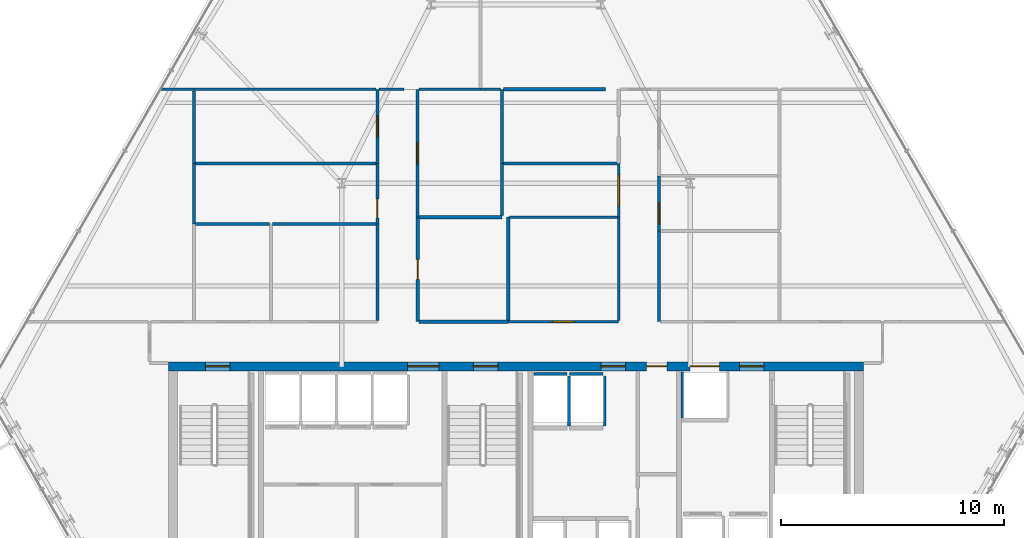
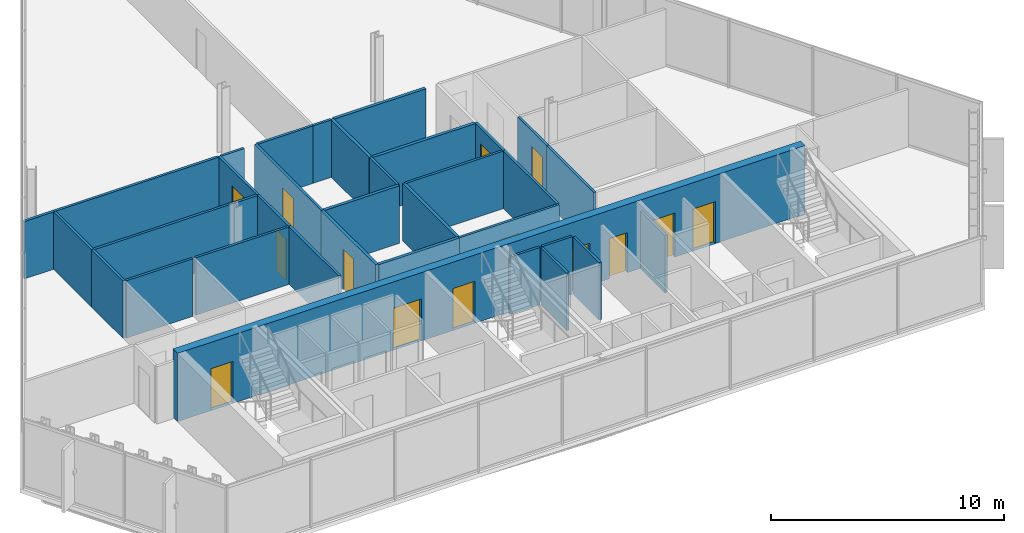
# One storey, part 29 of 35: 34 walls, 14 doors, 14 openings.
"""IFC4 building model written with IfcOpenShell, lengths in metres."""

import ifcopenshell
import ifcopenshell.guid

model = None  # the IFC model being written
_history = None  # IfcOwnerHistory: only IFC2X3 demands one
_inside = {}  # id of a spatial element -> (the spatial element, [elements in it])
_under = {}  # id of a project, library or spatial element -> (it, [spatial elements below it])
_declared = {}  # id of a project -> (the project, [libraries it declares])
_typed = {}  # id of a type object -> (the type object, [elements of that type])
_made_of = {}  # id of a material, layer set ... -> (it, [elements and type objects made of it])


def new_model(schema):
    """Start an empty IFC model of exactly this schema.

    Asked for "IFC4X3", IfcOpenShell would pick the latest addendum, in which some entities
    have other attributes; the version numbers below select the first issue.
    IFC2X3 requires an IfcOwnerHistory on every rooted entity: one is made here for all.
    """
    global model, _history
    if schema == "IFC4X3":
        model = ifcopenshell.file(schema_version=(4, 3, 0, 0))
    else:
        model = ifcopenshell.file(schema=schema)
    _inside.clear()
    _under.clear()
    _declared.clear()
    _typed.clear()
    _made_of.clear()
    _history = None
    if model.schema == "IFC2X3":
        org = make("IfcOrganization", Name="unknown")
        user = make(
            "IfcPersonAndOrganization",
            ThePerson=make("IfcPerson", FamilyName="unknown"),
            TheOrganization=org,
        )
        app = make(
            "IfcApplication",
            ApplicationDeveloper=org,
            Version="unknown",
            ApplicationFullName="unknown",
            ApplicationIdentifier="unknown",
        )
        _history = make(
            "IfcOwnerHistory",
            OwningUser=user,
            OwningApplication=app,
            ChangeAction="ADDED",
            CreationDate=0,
        )
    return model


def make(cls, **values):
    """One entity of the class cls with the attributes given. An attribute that is None is left unset."""
    return model.create_entity(
        cls, **{name: value for name, value in values.items() if value is not None}
    )


def rooted(cls, **values):
    """An entity with a GlobalId (a new one), such as an element, a storey or a relation."""
    return make(cls, GlobalId=ifcopenshell.guid.new(), OwnerHistory=_history, **values)


def si_unit(unit_type, name, prefix=None):
    """IfcSIUnit, for example si_unit("LENGTHUNIT", "METRE", prefix="MILLI")."""
    return make("IfcSIUnit", UnitType=unit_type, Prefix=prefix, Name=name)


def assignment(units):
    """IfcUnitAssignment: the units of a project."""
    return None if units is None else make("IfcUnitAssignment", Units=units)


def point(xyz):
    """IfcCartesianPoint."""
    return None if xyz is None else make("IfcCartesianPoint", Coordinates=xyz)


def direction(xyz):
    """IfcDirection."""
    return None if xyz is None else make("IfcDirection", DirectionRatios=xyz)


def frame(location, z_axis=None, x_axis=None):
    """IfcAxis2Placement3D, a coordinate frame: its origin and axes. An axis left out is left unset."""
    return make(
        "IfcAxis2Placement3D",
        Location=point(location),
        Axis=direction(z_axis),
        RefDirection=direction(x_axis),
    )


def frame_2d(location, x_axis=None):
    """IfcAxis2Placement2D, a coordinate frame in the plane: its origin and x axis."""
    return make(
        "IfcAxis2Placement2D", Location=point(location), RefDirection=direction(x_axis)
    )


def origin():
    """The frame at (0, 0, 0) with its axes left unset."""
    return frame((0.0, 0.0, 0.0))


def place(relative_to, where):
    """IfcLocalPlacement: puts the frame where relative to a parent placement (None: the world)."""
    return make(
        "IfcLocalPlacement", PlacementRelTo=relative_to, RelativePlacement=where
    )


def context(
    kind, dimensions, precision=None, world=None, true_north=None, identifier=None
):
    """IfcGeometricRepresentationContext, for example the 3D "Model" context."""
    return make(
        "IfcGeometricRepresentationContext",
        ContextIdentifier=identifier,
        ContextType=kind,
        CoordinateSpaceDimension=dimensions,
        Precision=precision,
        WorldCoordinateSystem=world,
        TrueNorth=true_north,
    )


def subcontext(parent, identifier, kind, view, scale=None):
    """IfcGeometricRepresentationSubContext, for example "Body" below "Model"."""
    return make(
        "IfcGeometricRepresentationSubContext",
        ContextIdentifier=identifier,
        ContextType=kind,
        ParentContext=parent,
        TargetScale=scale,
        TargetView=view,
    )


def project(units=None, contexts=None):
    """IfcProject with its units and contexts."""
    return rooted(
        "IfcProject",
        Name="project",
        RepresentationContexts=contexts,
        UnitsInContext=assignment(units),
    )


def spatial(cls, under=None, at=None, **own):
    """A site, building, storey or space (cls), placed at a placement, below another one or the project."""
    s = rooted(cls, ObjectPlacement=at, **own)
    if under is not None:
        _under.setdefault(under.id(), (under, []))[1].append(s)
    return s


def profile(cls, at=None, kind="AREA", **sizes):
    """A parametric profile (cls). Its sizes go by their IFC names, for example OverallWidth=200.0."""
    return make(cls, ProfileType=kind, Position=at, **sizes)


def rectangle(**sizes):
    """IfcRectangleProfileDef."""
    return profile("IfcRectangleProfileDef", **sizes)


def extrude(swept, where, along, depth):
    """IfcExtrudedAreaSolid: the profile swept, set in the frame where, extruded along a direction by depth."""
    return make(
        "IfcExtrudedAreaSolid",
        SweptArea=swept,
        Position=where,
        ExtrudedDirection=direction(along),
        Depth=depth,
    )


def shape(context_of_items, identifier, shape_type, items):
    """IfcShapeRepresentation: the items that make up one representation, for example the "Body"."""
    return make(
        "IfcShapeRepresentation",
        ContextOfItems=context_of_items,
        RepresentationIdentifier=identifier,
        RepresentationType=shape_type,
        Items=items,
    )


def material(Name=None, Category=None):
    """IfcMaterial."""
    return make("IfcMaterial", Name=Name, Category=Category)


def layer(
    of_material, thickness, ventilated=None, Name=None, Category=None, Priority=None
):
    """IfcMaterialLayer: one layer of a wall or slab, of a material (None: an air gap)."""
    return make(
        "IfcMaterialLayer",
        Material=of_material,
        LayerThickness=thickness,
        IsVentilated=ventilated,
        Name=Name,
        Category=Category,
        Priority=Priority,
    )


def layer_set(layers, Name=None):
    """IfcMaterialLayerSet."""
    return make("IfcMaterialLayerSet", MaterialLayers=layers, LayerSetName=Name)


def made_of(thing, what):
    """Note that an element or type object is made of a material, layer set ...; save() writes the relation."""
    if what is not None:
        _made_of.setdefault(what.id(), (what, []))[1].append(thing)
    return thing


def type_object(cls, material=None, **own):
    """A type object (cls), such as IfcWallType, which elements share."""
    return made_of(rooted(cls, **own), material)


def element(
    cls,
    number,
    at=None,
    inside=None,
    cuts=None,
    type_object=None,
    material=None,
    context=None,
    identifier="Body",
    shape_type=None,
    held_by="IfcProductDefinitionShape",
    body=None,
    shapes=None,
    **own,
):
    """One element of the class cls, such as IfcWall. Its Tag is "e" and its number.

    at: its placement. inside: the storey or other place that contains it. cuts: it is an
    opening in that element (IfcRelVoidsElement). A single representation is given by context,
    identifier, shape_type and body (its items); several are given by shapes. held_by: the class
    of the entity that holds the representations. save() writes the other relations.
    """
    e = rooted(cls, Tag="e%d" % number, ObjectPlacement=at, **own)
    if body is not None:
        shapes = [shape(context, identifier, shape_type, body)]
    if shapes is not None:
        e.Representation = make(held_by, Representations=shapes)
    if inside is not None:
        _inside.setdefault(inside.id(), (inside, []))[1].append(e)
    if cuts is not None:
        rooted(
            "IfcRelVoidsElement", RelatingBuildingElement=cuts, RelatedOpeningElement=e
        )
    if type_object is not None:
        _typed.setdefault(type_object.id(), (type_object, []))[1].append(e)
    return made_of(e, material)


def fill(opening, filler):
    """IfcRelFillsElement: the door or window that sits in an opening."""
    return rooted(
        "IfcRelFillsElement",
        RelatingOpeningElement=opening,
        RelatedBuildingElement=filler,
    )


def aggregate(whole, parts):
    """IfcRelAggregates: a whole, such as a stair, and the parts it consists of."""
    return rooted("IfcRelAggregates", RelatingObject=whole, RelatedObjects=parts)


def save(model, path):
    """Write the relations noted so far, then the file.

    IfcRelAggregates (storeys below a building ...), IfcRelContainedInSpatialStructure (elements
    in a storey), IfcRelDefinesByType, IfcRelAssociatesMaterial and IfcRelDeclares: one each for
    every whole, place, type object, material and project.
    """
    for whole, parts in _under.values():
        aggregate(whole, parts)
    for where, things in _inside.values():
        rooted(
            "IfcRelContainedInSpatialStructure",
            RelatedElements=things,
            RelatingStructure=where,
        )
    for kind, things in _typed.values():
        rooted("IfcRelDefinesByType", RelatedObjects=things, RelatingType=kind)
    for what, things in _made_of.values():
        rooted("IfcRelAssociatesMaterial", RelatedObjects=things, RelatingMaterial=what)
    for by, libraries in _declared.values():
        rooted("IfcRelDeclares", RelatingContext=by, RelatedDefinitions=libraries)
    model.write(path)


model = new_model("IFC4")

# Units and contexts
model_context = context("Model", 3, precision=1e-05, world=origin(), true_north=direction((0.0, 1.0)))
body_context = subcontext(model_context, "Body", "Model", "MODEL_VIEW")
ifc_project = project(units=[si_unit("LENGTHUNIT", "METRE"), si_unit("AREAUNIT", "SQUARE_METRE"), si_unit("VOLUMEUNIT", "CUBIC_METRE"), si_unit("PLANEANGLEUNIT", "RADIAN"), si_unit("MASSUNIT", "GRAM", prefix="KILO")], contexts=[model_context])

# Site, building, storey
site_placement = place(None, origin())
site = spatial("IfcSite", under=ifc_project, at=site_placement, CompositionType="ELEMENT")
building_placement = place(site_placement, origin())
building = spatial("IfcBuilding", under=site, at=building_placement, Name="Ndaravel Arena Tower", CompositionType="ELEMENT")
storey_placement = place(building_placement, frame((0.0, 0.0, 176.39990234375)))
storey = spatial("IfcBuildingStorey", under=building, at=storey_placement, Name="L42", CompositionType="ELEMENT", Elevation=176.39990234375)

# Wall, openings, doors
ifc_material_1 = material(Name="Concrete C50/60", Category="concrete")
ifc_layer_1 = layer(ifc_material_1, 0.39990234375)
ifc_layer_set_1 = layer_set([ifc_layer_1], Name="Concrete C50/60")
wall_type_1 = type_object("IfcWallType", Name="WALL-CORE-400", PredefinedType="SOLIDWALL", material=ifc_layer_set_1)
wall_1_placement = place(storey_placement, frame((26.449951171875, 15.0, 0.0), z_axis=(0.0, 0.0, 1.0), x_axis=(1.0, 0.0, 0.0)))
wall_1 = element("IfcWall", 1, at=wall_1_placement, inside=storey, type_object=wall_type_1, Name="L42 Core North Shear Wall", PredefinedType="SOLIDWALL", context=body_context, shape_type="SweptSolid", body=[
    extrude(rectangle(XDim=31.10009765625, YDim=0.39990234375, at=frame_2d((15.550048828125, 0.0))), origin(), (0.0, 0.0, 1.0), 3.580078125),
])
opening_1_placement = place(wall_1_placement, frame((1.64990234375, 0.0, 0.0)))
opening_1 = element("IfcOpeningElement", 2, at=opening_1_placement, cuts=wall_1, Name="Opening FD-01", PredefinedType="OPENING", context=body_context, shape_type="SweptSolid", body=[
    extrude(rectangle(XDim=1.10009765625, YDim=2.199951171875, at=frame_2d((0.550048828125, 1.10009765625))), frame((0.0, 0.199951171875, 0.0), z_axis=(0.0, -1.0, 0.0), x_axis=(1.0, 0.0, 0.0)), (0.0, 0.0, 1.0), 0.39990234375),
])
opening_2_placement = place(wall_1_placement, frame((13.64990234375, 0.0, 0.0)))
opening_2 = element("IfcOpeningElement", 3, at=opening_2_placement, cuts=wall_1, Name="Opening FD-01", PredefinedType="OPENING", context=body_context, shape_type="SweptSolid", body=[
    extrude(rectangle(XDim=1.10009765625, YDim=2.199951171875, at=frame_2d((0.550048828125, 1.10009765625))), frame((0.0, 0.199951171875, 0.0), z_axis=(0.0, -1.0, 0.0), x_axis=(1.0, 0.0, 0.0)), (0.0, 0.0, 1.0), 0.39990234375),
])
opening_3_placement = place(wall_1_placement, frame((25.550048828125, 0.0, 0.0)))
opening_3 = element("IfcOpeningElement", 4, at=opening_3_placement, cuts=wall_1, Name="Opening FD-01", PredefinedType="OPENING", context=body_context, shape_type="SweptSolid", body=[
    extrude(rectangle(XDim=1.10009765625, YDim=2.199951171875, at=frame_2d((0.550048828125, 1.10009765625))), frame((0.0, 0.199951171875, 0.0), z_axis=(0.0, -1.0, 0.0), x_axis=(1.0, 0.0, 0.0)), (0.0, 0.0, 1.0), 0.39990234375),
])
opening_4_placement = place(wall_1_placement, frame((10.699951171875, 0.0, 0.0)))
opening_4 = element("IfcOpeningElement", 5, at=opening_4_placement, cuts=wall_1, Name="Opening ID-02", PredefinedType="OPENING", context=body_context, shape_type="SweptSolid", body=[
    extrude(rectangle(XDim=1.39990234375, YDim=2.199951171875, at=frame_2d((0.699951171875, 1.10009765625))), frame((0.0, 0.199951171875, 0.0), z_axis=(0.0, -1.0, 0.0), x_axis=(1.0, 0.0, 0.0)), (0.0, 0.0, 1.0), 0.39990234375),
])
opening_5_placement = place(wall_1_placement, frame((19.35009765625, 0.0, 0.0)))
opening_5 = element("IfcOpeningElement", 6, at=opening_5_placement, cuts=wall_1, Name="Opening FD-01", PredefinedType="OPENING", context=body_context, shape_type="SweptSolid", body=[
    extrude(rectangle(XDim=1.10009765625, YDim=2.199951171875, at=frame_2d((0.550048828125, 1.10009765625))), frame((0.0, 0.199951171875, 0.0), z_axis=(0.0, -1.0, 0.0), x_axis=(1.0, 0.0, 0.0)), (0.0, 0.0, 1.0), 0.39990234375),
])
opening_6_placement = place(wall_1_placement, frame((21.39990234375, 0.0, 0.0)))
opening_6 = element("IfcOpeningElement", 7, at=opening_6_placement, cuts=wall_1, Name="Opening RD-01", PredefinedType="OPENING", context=body_context, shape_type="SweptSolid", body=[
    extrude(rectangle(XDim=0.89990234375, YDim=2.10009765625, at=frame_2d((0.449951171875, 1.050048828125))), frame((0.0, 0.199951171875, 0.0), z_axis=(0.0, -1.0, 0.0), x_axis=(1.0, 0.0, 0.0)), (0.0, 0.0, 1.0), 0.39990234375),
])
opening_7_placement = place(wall_1_placement, frame((23.35009765625, 0.0, 0.0)))
opening_7 = element("IfcOpeningElement", 8, at=opening_7_placement, cuts=wall_1, Name="Opening LD-02", PredefinedType="OPENING", context=body_context, shape_type="SweptSolid", body=[
    extrude(rectangle(XDim=1.300048828125, YDim=2.300048828125, at=frame_2d((0.64990234375, 1.14990234375))), frame((0.0, 0.199951171875, 0.0), z_axis=(0.0, -1.0, 0.0), x_axis=(1.0, 0.0, 0.0)), (0.0, 0.0, 1.0), 0.39990234375),
])
ifc_material_2 = material(Name="Steel S355", Category="steel")
door_type_1 = type_object("IfcDoorType", Name="DT-01-STAIR-1100", OperationType="SINGLE_SWING_LEFT", PredefinedType="DOOR", material=ifc_material_2)
door_1_placement = place(opening_1_placement, origin())
door_1 = element("IfcDoor", 9, at=door_1_placement, inside=storey, type_object=door_type_1, Name="L42 Exit Stair ST-1 Door", OperationType="SINGLE_SWING_LEFT", OverallHeight=2.199951171875, OverallWidth=1.10009765625, PredefinedType="DOOR", context=body_context, shape_type="SweptSolid", body=[
    extrude(rectangle(XDim=1.10009765625, YDim=2.199951171875, at=frame_2d((0.550048828125, 1.10009765625))), frame((0.0, 0.02490234375, 0.0), z_axis=(0.0, -1.0, 0.0), x_axis=(1.0, 0.0, 0.0)), (0.0, 0.0, 1.0), 0.050048828125),
])
fill(opening_1, door_1)
door_2_placement = place(opening_2_placement, origin())
door_2 = element("IfcDoor", 10, at=door_2_placement, inside=storey, type_object=door_type_1, Name="L42 Exit Stair ST-2 Door", OperationType="SINGLE_SWING_RIGHT", OverallHeight=2.199951171875, OverallWidth=1.10009765625, PredefinedType="DOOR", context=body_context, shape_type="SweptSolid", body=[
    extrude(rectangle(XDim=1.10009765625, YDim=2.199951171875, at=frame_2d((0.550048828125, 1.10009765625))), frame((0.0, 0.02490234375, 0.0), z_axis=(0.0, -1.0, 0.0), x_axis=(1.0, 0.0, 0.0)), (0.0, 0.0, 1.0), 0.050048828125),
])
fill(opening_2, door_2)
door_3_placement = place(opening_3_placement, origin())
door_3 = element("IfcDoor", 11, at=door_3_placement, inside=storey, type_object=door_type_1, Name="L42 Firefighting Lift Lobby Door", OperationType="SINGLE_SWING_RIGHT", OverallHeight=2.199951171875, OverallWidth=1.10009765625, PredefinedType="DOOR", context=body_context, shape_type="SweptSolid", body=[
    extrude(rectangle(XDim=1.10009765625, YDim=2.199951171875, at=frame_2d((0.550048828125, 1.10009765625))), frame((0.0, 0.02490234375, 0.0), z_axis=(0.0, -1.0, 0.0), x_axis=(1.0, 0.0, 0.0)), (0.0, 0.0, 1.0), 0.050048828125),
])
fill(opening_3, door_3)
door_4_placement = place(opening_5_placement, origin())
door_4 = element("IfcDoor", 12, at=door_4_placement, inside=storey, type_object=door_type_1, Name="L42 Express Lift Lobby Entry Door", OperationType="SINGLE_SWING_LEFT", OverallHeight=2.199951171875, OverallWidth=1.10009765625, PredefinedType="DOOR", context=body_context, shape_type="SweptSolid", body=[
    extrude(rectangle(XDim=1.10009765625, YDim=2.199951171875, at=frame_2d((0.550048828125, 1.10009765625))), frame((0.0, 0.02490234375, 0.0), z_axis=(0.0, -1.0, 0.0), x_axis=(1.0, 0.0, 0.0)), (0.0, 0.0, 1.0), 0.050048828125),
])
fill(opening_5, door_4)
ifc_material_3 = material(Name="Timber", Category="wood")
door_type_2 = type_object("IfcDoorType", Name="DT-04-SUITE-1400", OperationType="DOUBLE_DOOR_SINGLE_SWING", PredefinedType="DOOR", material=ifc_material_3)
door_5_placement = place(opening_4_placement, origin())
door_5 = element("IfcDoor", 13, at=door_5_placement, inside=storey, type_object=door_type_2, Name="L42 West Lift Lobby Entry Door", OperationType="DOUBLE_DOOR_SINGLE_SWING", OverallHeight=2.199951171875, OverallWidth=1.39990234375, PredefinedType="DOOR", context=body_context, shape_type="SweptSolid", body=[
    extrude(rectangle(XDim=1.39990234375, YDim=2.199951171875, at=frame_2d((0.699951171875, 1.10009765625))), frame((0.0, 0.02490234375, 0.0), z_axis=(0.0, -1.0, 0.0), x_axis=(1.0, 0.0, 0.0)), (0.0, 0.0, 1.0), 0.050048828125),
])
fill(opening_4, door_5)
ifc_material_4 = material(Name="Steel S355", Category="steel")
door_type_3 = type_object("IfcDoorType", Name="DT-07-SVLIFT-1300", OperationType="DOUBLE_DOOR_SLIDING", PredefinedType="DOOR", material=ifc_material_4)
door_6_placement = place(opening_7_placement, origin())
door_6 = element("IfcDoor", 14, at=door_6_placement, inside=storey, type_object=door_type_3, Name="L42 Lift SVL-1 Sliding Landing Door", OperationType="DOUBLE_DOOR_SLIDING", OverallHeight=2.300048828125, OverallWidth=1.300048828125, PredefinedType="DOOR", context=body_context, shape_type="SweptSolid", body=[
    extrude(rectangle(XDim=1.300048828125, YDim=2.300048828125, at=frame_2d((0.64990234375, 1.14990234375))), frame((0.0, 0.02490234375, 0.0), z_axis=(0.0, -1.0, 0.0), x_axis=(1.0, 0.0, 0.0)), (0.0, 0.0, 1.0), 0.050048828125),
])
fill(opening_7, door_6)
ifc_material_5 = material(Name="Steel S355", Category="steel")
door_type_4 = type_object("IfcDoorType", Name="DT-08-RISER-900", OperationType="SINGLE_SWING_LEFT", PredefinedType="DOOR", material=ifc_material_5)
door_7_placement = place(opening_6_placement, origin())
door_7 = element("IfcDoor", 15, at=door_7_placement, inside=storey, type_object=door_type_4, Name="L42 Core Service Riser North Door", OperationType="SINGLE_SWING_LEFT", OverallHeight=2.10009765625, OverallWidth=0.89990234375, PredefinedType="DOOR", context=body_context, shape_type="SweptSolid", body=[
    extrude(rectangle(XDim=0.89990234375, YDim=2.10009765625, at=frame_2d((0.449951171875, 1.050048828125))), frame((0.0, 0.02490234375, 0.0), z_axis=(0.0, -1.0, 0.0), x_axis=(1.0, 0.0, 0.0)), (0.0, 0.0, 1.0), 0.050048828125),
])
fill(opening_6, door_7)

# Wall
ifc_material_6 = material(Name="Gypsum", Category="gypsum")
ifc_layer_2 = layer(ifc_material_6, 0.125)
ifc_layer_set_2 = layer_set([ifc_layer_2], Name="Gypsum")
wall_type_2 = type_object("IfcWallType", Name="WALL-PART-125", PredefinedType="PARTITIONING", material=ifc_layer_set_2)
wall_2_placement = place(storey_placement, frame((35.800048828125, 17.06494140625, 0.0), z_axis=(0.0, 0.0, 1.0), x_axis=(0.0, 1.0, 0.0)))
element("IfcWall", 16, at=wall_2_placement, inside=storey, type_object=wall_type_2, Name="L42 Interior Partition 008", PredefinedType="PARTITIONING", context=body_context, shape_type="SweptSolid", body=[
    extrude(rectangle(XDim=4.302978515625, YDim=0.125, at=frame_2d((2.1513671875, 0.0))), origin(), (0.0, 0.0, 1.0), 3.010498046875),
])

# Wall, opening, door
wall_3_placement = place(storey_placement, frame((35.800048828125, 24.08251953125, 0.0), z_axis=(0.0, 0.0, 1.0), x_axis=(0.0, 1.0, 0.0)))
wall_3 = element("IfcWall", 17, at=wall_3_placement, inside=storey, type_object=wall_type_2, Name="L42 Interior Partition 010", PredefinedType="PARTITIONING", context=body_context, shape_type="SweptSolid", body=[
    extrude(rectangle(XDim=3.3173828125, YDim=0.125, at=frame_2d((1.65869140625, 0.0))), origin(), (0.0, 0.0, 1.0), 3.010498046875),
])
opening_8_placement = place(wall_3_placement, frame((1.183837890625, 0.0, 0.0)))
opening_8 = element("IfcOpeningElement", 18, at=opening_8_placement, cuts=wall_3, Name="Opening ID-01", PredefinedType="OPENING", context=body_context, shape_type="SweptSolid", body=[
    extrude(rectangle(XDim=0.949951171875, YDim=2.199951171875, at=frame_2d((0.47509765625, 1.10009765625))), frame((0.0, 0.0625, 0.0), z_axis=(0.0, -1.0, 0.0), x_axis=(1.0, 0.0, 0.0)), (0.0, 0.0, 1.0), 0.125),
])
ifc_material_7 = material(Name="Timber", Category="wood")
door_type_5 = type_object("IfcDoorType", Name="DT-03-OFFICE-950", OperationType="SINGLE_SWING_LEFT", PredefinedType="DOOR", material=ifc_material_7)
door_8_placement = place(opening_8_placement, origin())
door_8 = element("IfcDoor", 19, at=door_8_placement, inside=storey, type_object=door_type_5, Name="L42 Refreshment Kiosk 6 Door", OperationType="SINGLE_SWING_LEFT", OverallHeight=2.199951171875, OverallWidth=0.949951171875, PredefinedType="DOOR", context=body_context, shape_type="SweptSolid", body=[
    extrude(rectangle(XDim=0.949951171875, YDim=2.199951171875, at=frame_2d((0.47509765625, 1.10009765625))), frame((0.0, 0.02490234375, 0.0), z_axis=(0.0, -1.0, 0.0), x_axis=(1.0, 0.0, 0.0)), (0.0, 0.0, 1.0), 0.050048828125),
])
fill(opening_8, door_8)

# Wall
wall_4_placement = place(storey_placement, frame((35.864990234375, 27.39990234375, 0.0), z_axis=(0.0, 0.0, 1.0), x_axis=(1.0, 0.0, 0.0)))
element("IfcWall", 20, at=wall_4_placement, inside=storey, type_object=wall_type_2, Name="L42 Interior Partition 011", PredefinedType="PARTITIONING", context=body_context, shape_type="SweptSolid", body=[
    extrude(rectangle(XDim=1.135009765625, YDim=0.125, at=frame_2d((0.5673828125, 0.0))), origin(), (0.0, 0.0, 1.0), 3.010498046875),
])

# Wall, opening, door
wall_5_placement = place(storey_placement, frame((37.60009765625, 27.39990234375, 0.0), z_axis=(0.0, 0.0, 1.0), x_axis=(0.0, -1.0, 0.0)))
wall_5 = element("IfcWall", 21, at=wall_5_placement, inside=storey, type_object=wall_type_2, Name="L42 Interior Partition 012", PredefinedType="PARTITIONING", context=body_context, shape_type="SweptSolid", body=[
    extrude(rectangle(XDim=5.719970703125, YDim=0.125, at=frame_2d((2.85986328125, 0.0))), origin(), (0.0, 0.0, 1.0), 3.010498046875),
])
opening_9_placement = place(wall_5_placement, frame((2.385009765625, 0.0, 0.0)))
opening_9 = element("IfcOpeningElement", 22, at=opening_9_placement, cuts=wall_5, Name="Opening ID-01", PredefinedType="OPENING", context=body_context, shape_type="SweptSolid", body=[
    extrude(rectangle(XDim=0.949951171875, YDim=2.199951171875, at=frame_2d((0.47509765625, 1.10009765625))), frame((0.0, 0.0625, 0.0), z_axis=(0.0, -1.0, 0.0), x_axis=(1.0, 0.0, 0.0)), (0.0, 0.0, 1.0), 0.125),
])
door_9_placement = place(opening_9_placement, origin())
door_9 = element("IfcDoor", 23, at=door_9_placement, inside=storey, type_object=door_type_5, Name="L42 Design Bookshop Boutique 5 Door", OperationType="SINGLE_SWING_LEFT", OverallHeight=2.199951171875, OverallWidth=0.949951171875, PredefinedType="DOOR", context=body_context, shape_type="SweptSolid", body=[
    extrude(rectangle(XDim=0.949951171875, YDim=2.199951171875, at=frame_2d((0.47509765625, 1.10009765625))), frame((0.0, 0.02490234375, 0.0), z_axis=(0.0, -1.0, 0.0), x_axis=(1.0, 0.0, 0.0)), (0.0, 0.0, 1.0), 0.050048828125),
])
fill(opening_9, door_9)

wall_6_placement = place(storey_placement, frame((41.64990234375, 17.0, 0.0), z_axis=(0.0, 0.0, 1.0), x_axis=(1.0, 0.0, 0.0)))
wall_6 = element("IfcWall", 24, at=wall_6_placement, inside=storey, type_object=wall_type_2, Name="L42 Interior Partition 015", PredefinedType="PARTITIONING", context=body_context, shape_type="SweptSolid", body=[
    extrude(rectangle(XDim=4.9501953125, YDim=0.125, at=frame_2d((2.47509765625, 0.0))), origin(), (0.0, 0.0, 1.0), 3.010498046875),
])
opening_10_placement = place(wall_6_placement, frame((2.0, 0.0, 0.0)))
opening_10 = element("IfcOpeningElement", 25, at=opening_10_placement, cuts=wall_6, Name="Opening ID-01", PredefinedType="OPENING", context=body_context, shape_type="SweptSolid", body=[
    extrude(rectangle(XDim=0.949951171875, YDim=2.199951171875, at=frame_2d((0.47509765625, 1.10009765625))), frame((0.0, 0.0625, 0.0), z_axis=(0.0, -1.0, 0.0), x_axis=(1.0, 0.0, 0.0)), (0.0, 0.0, 1.0), 0.125),
])
door_10_placement = place(opening_10_placement, origin())
door_10 = element("IfcDoor", 26, at=door_10_placement, inside=storey, type_object=door_type_5, Name="L42 Project Seminar Room 3 Door", OperationType="SINGLE_SWING_LEFT", OverallHeight=2.199951171875, OverallWidth=0.949951171875, PredefinedType="DOOR", context=body_context, shape_type="SweptSolid", body=[
    extrude(rectangle(XDim=0.949951171875, YDim=2.199951171875, at=frame_2d((0.47509765625, 1.10009765625))), frame((0.0, 0.02490234375, 0.0), z_axis=(0.0, -1.0, 0.0), x_axis=(1.0, 0.0, 0.0)), (0.0, 0.0, 1.0), 0.050048828125),
])
fill(opening_10, door_10)

# Wall
wall_7_placement = place(storey_placement, frame((46.60009765625, 17.06494140625, 0.0), z_axis=(0.0, 0.0, 1.0), x_axis=(0.0, 1.0, 0.0)))
element("IfcWall", 27, at=wall_7_placement, inside=storey, type_object=wall_type_2, Name="L42 Interior Partition 016", PredefinedType="PARTITIONING", context=body_context, shape_type="SweptSolid", body=[
    extrude(rectangle(XDim=4.614990234375, YDim=0.125, at=frame_2d((2.3076171875, 0.0))), origin(), (0.0, 0.0, 1.0), 3.010498046875),
])

# Wall, opening, door
wall_8_placement = place(storey_placement, frame((46.60009765625, 21.679931640625, 0.0), z_axis=(0.0, 0.0, 1.0), x_axis=(0.0, 1.0, 0.0)))
wall_8 = element("IfcWall", 28, at=wall_8_placement, inside=storey, type_object=wall_type_2, Name="L42 Interior Partition 017", PredefinedType="PARTITIONING", context=body_context, shape_type="SweptSolid", body=[
    extrude(rectangle(XDim=2.402587890625, YDim=0.125, at=frame_2d((1.201171875, 0.0))), origin(), (0.0, 0.0, 1.0), 3.010498046875),
])
opening_11_placement = place(wall_8_placement, frame((0.501220703125, 0.0, 0.0)))
opening_11 = element("IfcOpeningElement", 29, at=opening_11_placement, cuts=wall_8, Name="Opening ID-02", PredefinedType="OPENING", context=body_context, shape_type="SweptSolid", body=[
    extrude(rectangle(XDim=1.39990234375, YDim=2.199951171875, at=frame_2d((0.699951171875, 1.10009765625))), frame((0.0, 0.0625, 0.0), z_axis=(0.0, -1.0, 0.0), x_axis=(1.0, 0.0, 0.0)), (0.0, 0.0, 1.0), 0.125),
])
door_11_placement = place(opening_11_placement, origin())
door_11 = element("IfcDoor", 30, at=door_11_placement, inside=storey, type_object=door_type_2, Name="L42 Executive Boardroom 5 Door", OperationType="SINGLE_SWING_RIGHT", OverallHeight=2.199951171875, OverallWidth=1.39990234375, PredefinedType="DOOR", context=body_context, shape_type="SweptSolid", body=[
    extrude(rectangle(XDim=1.39990234375, YDim=2.199951171875, at=frame_2d((0.699951171875, 1.10009765625))), frame((0.0, 0.02490234375, 0.0), z_axis=(0.0, -1.0, 0.0), x_axis=(1.0, 0.0, 0.0)), (0.0, 0.0, 1.0), 0.050048828125),
])
fill(opening_11, door_11)

wall_9_placement = place(storey_placement, frame((48.39990234375, 23.5302734375, 0.0), z_axis=(0.0, 0.0, 1.0), x_axis=(0.0, -1.0, 0.0)))
wall_9 = element("IfcWall", 31, at=wall_9_placement, inside=storey, type_object=wall_type_2, Name="L42 Interior Partition 021", PredefinedType="PARTITIONING", context=body_context, shape_type="SweptSolid", body=[
    extrude(rectangle(XDim=2.474365234375, YDim=0.125, at=frame_2d((1.2373046875, 0.0))), origin(), (0.0, 0.0, 1.0), 3.010498046875),
])
opening_12_placement = place(wall_9_placement, frame((1.212158203125, 0.0, 0.0)))
opening_12 = element("IfcOpeningElement", 32, at=opening_12_placement, cuts=wall_9, Name="Opening ID-01", PredefinedType="OPENING", context=body_context, shape_type="SweptSolid", body=[
    extrude(rectangle(XDim=0.949951171875, YDim=2.199951171875, at=frame_2d((0.47509765625, 1.10009765625))), frame((0.0, 0.0625, 0.0), z_axis=(0.0, -1.0, 0.0), x_axis=(1.0, 0.0, 0.0)), (0.0, 0.0, 1.0), 0.125),
])
door_12_placement = place(opening_12_placement, origin())
door_12 = element("IfcDoor", 33, at=door_12_placement, inside=storey, type_object=door_type_5, Name="L42 Training Classroom 4 Door", OperationType="SINGLE_SWING_RIGHT", OverallHeight=2.199951171875, OverallWidth=0.949951171875, PredefinedType="DOOR", context=body_context, shape_type="SweptSolid", body=[
    extrude(rectangle(XDim=0.949951171875, YDim=2.199951171875, at=frame_2d((0.47509765625, 1.10009765625))), frame((0.0, 0.02490234375, 0.0), z_axis=(0.0, -1.0, 0.0), x_axis=(1.0, 0.0, 0.0)), (0.0, 0.0, 1.0), 0.050048828125),
])
fill(opening_12, door_12)

# Walls
wall_10_placement = place(storey_placement, frame((48.39990234375, 21.055908203125, 0.0), z_axis=(0.0, 0.0, 1.0), x_axis=(0.0, -1.0, 0.0)))
element("IfcWall", 34, at=wall_10_placement, inside=storey, type_object=wall_type_2, Name="L42 Interior Partition 022", PredefinedType="PARTITIONING", context=body_context, shape_type="SweptSolid", body=[
    extrude(rectangle(XDim=4.055908203125, YDim=0.125, at=frame_2d((2.02783203125, 0.0))), origin(), (0.0, 0.0, 1.0), 3.010498046875),
])
wall_11_placement = place(storey_placement, frame((27.6650390625, 21.367919921875, 0.0), z_axis=(0.0, 0.0, 1.0), x_axis=(1.0, 0.0, 0.0)))
element("IfcWall", 35, at=wall_11_placement, inside=storey, type_object=wall_type_2, Name="L42 Interior Partition 032", PredefinedType="PARTITIONING", context=body_context, shape_type="SweptSolid", body=[
    extrude(rectangle(XDim=3.31396484375, YDim=0.125, at=frame_2d((1.656982421875, 0.0))), origin(), (0.0, 0.0, 1.0), 3.010498046875),
])
wall_12_placement = place(storey_placement, frame((31.10888671875, 21.367919921875, 0.0), z_axis=(0.0, 0.0, 1.0), x_axis=(1.0, 0.0, 0.0)))
element("IfcWall", 36, at=wall_12_placement, inside=storey, type_object=wall_type_2, Name="L42 Interior Partition 033", PredefinedType="PARTITIONING", context=body_context, shape_type="SweptSolid", body=[
    extrude(rectangle(XDim=4.626220703125, YDim=0.125, at=frame_2d((2.31298828125, 0.0))), origin(), (0.0, 0.0, 1.0), 3.010498046875),
])
wall_13_placement = place(storey_placement, frame((41.715087890625, 21.679931640625, 0.0), z_axis=(0.0, 0.0, 1.0), x_axis=(1.0, 0.0, 0.0)))
element("IfcWall", 37, at=wall_13_placement, inside=storey, type_object=wall_type_2, Name="L42 Interior Partition 036", PredefinedType="PARTITIONING", context=body_context, shape_type="SweptSolid", body=[
    extrude(rectangle(XDim=4.81982421875, YDim=0.125, at=frame_2d((2.409912109375, 0.0))), origin(), (0.0, 0.0, 1.0), 3.010498046875),
])
wall_14_placement = place(storey_placement, frame((26.09912109375, 27.39990234375, 0.0), z_axis=(0.0, 0.0, 1.0), x_axis=(1.0, 0.0, 0.0)))
element("IfcWall", 38, at=wall_14_placement, inside=storey, type_object=wall_type_2, Name="L42 Interior Partition 037", PredefinedType="PARTITIONING", context=body_context, shape_type="SweptSolid", body=[
    extrude(rectangle(XDim=1.5009765625, YDim=0.125, at=frame_2d((0.75048828125, 0.0))), origin(), (0.0, 0.0, 1.0), 3.010498046875),
])
wall_15_placement = place(storey_placement, frame((27.60009765625, 27.3349609375, 0.0), z_axis=(0.0, 0.0, 1.0), x_axis=(0.0, -1.0, 0.0)))
element("IfcWall", 39, at=wall_15_placement, inside=storey, type_object=wall_type_2, Name="L42 Interior Partition 038", PredefinedType="PARTITIONING", context=body_context, shape_type="SweptSolid", body=[
    extrude(rectangle(XDim=3.25244140625, YDim=0.125, at=frame_2d((1.626220703125, 0.0))), origin(), (0.0, 0.0, 1.0), 3.010498046875),
])
wall_16_placement = place(storey_placement, frame((27.60009765625, 24.08251953125, 0.0), z_axis=(0.0, 0.0, 1.0), x_axis=(0.0, -1.0, 0.0)))
element("IfcWall", 40, at=wall_16_placement, inside=storey, type_object=wall_type_2, Name="L42 Interior Partition 039", PredefinedType="PARTITIONING", context=body_context, shape_type="SweptSolid", body=[
    extrude(rectangle(XDim=2.714599609375, YDim=0.125, at=frame_2d((1.357421875, 0.0))), origin(), (0.0, 0.0, 1.0), 3.010498046875),
])
wall_17_placement = place(storey_placement, frame((27.6650390625, 24.08251953125, 0.0), z_axis=(0.0, 0.0, 1.0), x_axis=(1.0, 0.0, 0.0)))
element("IfcWall", 41, at=wall_17_placement, inside=storey, type_object=wall_type_2, Name="L42 Interior Partition 044", PredefinedType="PARTITIONING", context=body_context, shape_type="SweptSolid", body=[
    extrude(rectangle(XDim=8.070068359375, YDim=0.125, at=frame_2d((4.03515625, 0.0))), origin(), (0.0, 0.0, 1.0), 3.010498046875),
])
wall_18_placement = place(storey_placement, frame((41.3798828125, 21.7451171875, 0.0), z_axis=(0.0, 0.0, 1.0), x_axis=(0.0, 1.0, 0.0)))
element("IfcWall", 42, at=wall_18_placement, inside=storey, type_object=wall_type_2, Name="L42 Interior Partition 045", PredefinedType="PARTITIONING", context=body_context, shape_type="SweptSolid", body=[
    extrude(rectangle(XDim=2.33740234375, YDim=0.125, at=frame_2d((1.168701171875, 0.0))), origin(), (0.0, 0.0, 1.0), 3.010498046875),
])
wall_19_placement = place(storey_placement, frame((37.6650390625, 27.39990234375, 0.0), z_axis=(0.0, 0.0, 1.0), x_axis=(1.0, 0.0, 0.0)))
element("IfcWall", 43, at=wall_19_placement, inside=storey, type_object=wall_type_2, Name="L42 Interior Partition 048", PredefinedType="PARTITIONING", context=body_context, shape_type="SweptSolid", body=[
    extrude(rectangle(XDim=2.744873046875, YDim=0.125, at=frame_2d((1.37255859375, 0.0))), origin(), (0.0, 0.0, 1.0), 3.010498046875),
])
wall_20_placement = place(storey_placement, frame((40.409912109375, 27.39990234375, 0.0), z_axis=(0.0, 0.0, 1.0), x_axis=(1.0, 0.0, 0.0)))
element("IfcWall", 44, at=wall_20_placement, inside=storey, type_object=wall_type_2, Name="L42 Interior Partition 049", PredefinedType="PARTITIONING", context=body_context, shape_type="SweptSolid", body=[
    extrude(rectangle(XDim=0.905029296875, YDim=0.125, at=frame_2d((0.45263671875, 0.0))), origin(), (0.0, 0.0, 1.0), 3.010498046875),
])
wall_21_placement = place(storey_placement, frame((27.60009765625, 27.39990234375, 0.0), z_axis=(0.0, 0.0, 1.0), x_axis=(1.0, 0.0, 0.0)))
element("IfcWall", 45, at=wall_21_placement, inside=storey, type_object=wall_type_2, Name="L42 Interior Partition 051", PredefinedType="PARTITIONING", context=body_context, shape_type="SweptSolid", body=[
    extrude(rectangle(XDim=8.135009765625, YDim=0.125, at=frame_2d((4.0673828125, 0.0))), origin(), (0.0, 0.0, 1.0), 3.010498046875),
])
ifc_material_8 = material(Name="Concrete C40/50", Category="concrete")
ifc_layer_3 = layer(ifc_material_8, 0.1201171875)
ifc_layer_set_3 = layer_set([ifc_layer_3], Name="Concrete C40/50")
wall_type_3 = type_object("IfcWallType", Name="WALL-SHAFT-120", PredefinedType="SOLIDWALL", material=ifc_layer_set_3)
wall_22_placement = place(storey_placement, frame((42.804931640625, 14.659912109375, 0.0), z_axis=(0.0, 0.0, 1.0), x_axis=(1.0, 0.0, 0.0)))
element("IfcWall", 46, at=wall_22_placement, inside=storey, type_object=wall_type_3, Name="L42 PL-OBS1 Shaft Rear Wall", PredefinedType="SOLIDWALL", context=body_context, shape_type="SweptSolid", body=[
    extrude(rectangle(XDim=1.489990234375, YDim=0.1201171875, at=frame_2d((0.7451171875, 0.0))), origin(), (0.0, 0.0, 1.0), 3.010498046875),
])
wall_23_placement = place(storey_placement, frame((44.375, 12.340087890625, 0.0), z_axis=(0.0, 0.0, 1.0), x_axis=(0.0, 1.0, 0.0)))
element("IfcWall", 47, at=wall_23_placement, inside=storey, type_object=wall_type_3, Name="L42 PL-OBS1 Shaft Side R Wall", PredefinedType="SOLIDWALL", context=body_context, shape_type="SweptSolid", body=[
    extrude(rectangle(XDim=2.22998046875, YDim=0.1201171875, at=frame_2d((1.114990234375, 0.0))), origin(), (0.0, 0.0, 1.0), 3.010498046875),
])
wall_24_placement = place(storey_placement, frame((44.405029296875, 14.659912109375, 0.0), z_axis=(0.0, 0.0, 1.0), x_axis=(1.0, 0.0, 0.0)))
element("IfcWall", 48, at=wall_24_placement, inside=storey, type_object=wall_type_3, Name="L42 PL-OBS2 Shaft Rear Wall", PredefinedType="SOLIDWALL", context=body_context, shape_type="SweptSolid", body=[
    extrude(rectangle(XDim=1.489990234375, YDim=0.1201171875, at=frame_2d((0.7451171875, 0.0))), origin(), (0.0, 0.0, 1.0), 3.010498046875),
])
wall_25_placement = place(storey_placement, frame((45.97509765625, 12.340087890625, 0.0), z_axis=(0.0, 0.0, 1.0), x_axis=(0.0, 1.0, 0.0)))
element("IfcWall", 49, at=wall_25_placement, inside=storey, type_object=wall_type_3, Name="L42 PL-OBS2 Shaft Side R Wall", PredefinedType="SOLIDWALL", context=body_context, shape_type="SweptSolid", body=[
    extrude(rectangle(XDim=2.22998046875, YDim=0.1201171875, at=frame_2d((1.114990234375, 0.0))), origin(), (0.0, 0.0, 1.0), 3.010498046875),
])
wall_26_placement = place(storey_placement, frame((49.43994140625, 12.68994140625, 0.0), z_axis=(0.0, 0.0, 1.0), x_axis=(0.0, 1.0, 0.0)))
element("IfcWall", 50, at=wall_26_placement, inside=storey, type_object=wall_type_3, Name="L42 SVL-1 Shaft W Wall", PredefinedType="SOLIDWALL", context=body_context, shape_type="SweptSolid", body=[
    extrude(rectangle(XDim=2.070068359375, YDim=0.1201171875, at=frame_2d((1.03515625, 0.0))), origin(), (0.0, 0.0, 1.0), 3.010498046875),
])

# Wall, opening, door
ifc_material_9 = material(Name="Masonry", Category="masonry")
ifc_layer_4 = layer(ifc_material_9, 0.14990234375)
ifc_layer_set_4 = layer_set([ifc_layer_4], Name="Masonry")
wall_type_4 = type_object("IfcWallType", Name="WALL-WET-150", PredefinedType="PARTITIONING", material=ifc_layer_set_4)
wall_27_placement = place(storey_placement, frame((35.800048828125, 21.367919921875, 0.0), z_axis=(0.0, 0.0, 1.0), x_axis=(0.0, 1.0, 0.0)))
wall_27 = element("IfcWall", 51, at=wall_27_placement, inside=storey, type_object=wall_type_4, Name="L42 Interior Partition 009", PredefinedType="PARTITIONING", context=body_context, shape_type="SweptSolid", body=[
    extrude(rectangle(XDim=2.714599609375, YDim=0.125, at=frame_2d((1.357421875, 0.0))), origin(), (0.0, 0.0, 1.0), 3.010498046875),
])
opening_13_placement = place(wall_27_placement, frame((0.2822265625, 0.0, 0.0)))
opening_13 = element("IfcOpeningElement", 52, at=opening_13_placement, cuts=wall_27, Name="Opening ID-03", PredefinedType="OPENING", context=body_context, shape_type="SweptSolid", body=[
    extrude(rectangle(XDim=0.85009765625, YDim=2.14990234375, at=frame_2d((0.425048828125, 1.074951171875))), frame((0.0, 0.0625, 0.0), z_axis=(0.0, -1.0, 0.0), x_axis=(1.0, 0.0, 0.0)), (0.0, 0.0, 1.0), 0.125),
])
ifc_material_10 = material(Name="Timber", Category="wood")
door_type_6 = type_object("IfcDoorType", Name="DT-12-SUB-850", OperationType="SINGLE_SWING_LEFT", PredefinedType="DOOR", material=ifc_material_10)
door_13_placement = place(opening_13_placement, origin())
door_13 = element("IfcDoor", 53, at=door_13_placement, inside=storey, type_object=door_type_6, Name="L42 Publication Shop 4 Door", OperationType="SINGLE_SWING_LEFT", OverallHeight=2.14990234375, OverallWidth=0.85009765625, PredefinedType="DOOR", context=body_context, shape_type="SweptSolid", body=[
    extrude(rectangle(XDim=0.85009765625, YDim=2.14990234375, at=frame_2d((0.425048828125, 1.074951171875))), frame((0.0, 0.02490234375, 0.0), z_axis=(0.0, -1.0, 0.0), x_axis=(1.0, 0.0, 0.0)), (0.0, 0.0, 1.0), 0.050048828125),
])
fill(opening_13, door_13)

wall_28_placement = place(storey_placement, frame((37.60009765625, 21.679931640625, 0.0), z_axis=(0.0, 0.0, 1.0), x_axis=(0.0, -1.0, 0.0)))
wall_28 = element("IfcWall", 54, at=wall_28_placement, inside=storey, type_object=wall_type_4, Name="L42 Interior Partition 013", PredefinedType="PARTITIONING", context=body_context, shape_type="SweptSolid", body=[
    extrude(rectangle(XDim=4.679931640625, YDim=0.14990234375, at=frame_2d((2.33984375, 0.0))), origin(), (0.0, 0.0, 1.0), 3.010498046875),
])
opening_14_placement = place(wall_28_placement, frame((1.889892578125, 0.0, 0.0)))
opening_14 = element("IfcOpeningElement", 55, at=opening_14_placement, cuts=wall_28, Name="Opening WD-01", PredefinedType="OPENING", context=body_context, shape_type="SweptSolid", body=[
    extrude(rectangle(XDim=0.89990234375, YDim=2.14990234375, at=frame_2d((0.449951171875, 1.074951171875))), frame((0.0, 0.074951171875, 0.0), z_axis=(0.0, -1.0, 0.0), x_axis=(1.0, 0.0, 0.0)), (0.0, 0.0, 1.0), 0.14990234375),
])
ifc_material_11 = material(Name="Timber", Category="wood")
door_type_7 = type_object("IfcDoorType", Name="DT-05-WC-900", OperationType="SINGLE_SWING_LEFT", PredefinedType="DOOR", material=ifc_material_11)
door_14_placement = place(opening_14_placement, origin())
door_14 = element("IfcDoor", 56, at=door_14_placement, inside=storey, type_object=door_type_7, Name="L42 Male Staff & Visitor Restroom Door", OperationType="SINGLE_SWING_RIGHT", OverallHeight=2.14990234375, OverallWidth=0.89990234375, PredefinedType="DOOR", context=body_context, shape_type="SweptSolid", body=[
    extrude(rectangle(XDim=0.89990234375, YDim=2.14990234375, at=frame_2d((0.449951171875, 1.074951171875))), frame((0.0, 0.02490234375, 0.0), z_axis=(0.0, -1.0, 0.0), x_axis=(1.0, 0.0, 0.0)), (0.0, 0.0, 1.0), 0.050048828125),
])
fill(opening_14, door_14)

# Walls
wall_29_placement = place(storey_placement, frame((37.6650390625, 17.0, 0.0), z_axis=(0.0, 0.0, 1.0), x_axis=(1.0, 0.0, 0.0)))
element("IfcWall", 57, at=wall_29_placement, inside=storey, type_object=wall_type_4, Name="L42 Interior Partition 014", PredefinedType="PARTITIONING", context=body_context, shape_type="SweptSolid", body=[
    extrude(rectangle(XDim=3.98486328125, YDim=0.14990234375, at=frame_2d((1.992431640625, 0.0))), origin(), (0.0, 0.0, 1.0), 3.010498046875),
])
wall_30_placement = place(storey_placement, frame((41.64990234375, 21.679931640625, 0.0), z_axis=(0.0, 0.0, 1.0), x_axis=(0.0, -1.0, 0.0)))
element("IfcWall", 58, at=wall_30_placement, inside=storey, type_object=wall_type_4, Name="L42 Interior Partition 034", PredefinedType="PARTITIONING", context=body_context, shape_type="SweptSolid", body=[
    extrude(rectangle(XDim=4.614990234375, YDim=0.14990234375, at=frame_2d((2.3076171875, 0.0))), origin(), (0.0, 0.0, 1.0), 3.010498046875),
])
wall_31_placement = place(storey_placement, frame((37.6650390625, 21.679931640625, 0.0), z_axis=(0.0, 0.0, 1.0), x_axis=(1.0, 0.0, 0.0)))
element("IfcWall", 59, at=wall_31_placement, inside=storey, type_object=wall_type_4, Name="L42 Interior Partition 035", PredefinedType="PARTITIONING", context=body_context, shape_type="SweptSolid", body=[
    extrude(rectangle(XDim=3.71484375, YDim=0.14990234375, at=frame_2d((1.857421875, 0.0))), origin(), (0.0, 0.0, 1.0), 3.010498046875),
])
wall_32_placement = place(storey_placement, frame((41.445068359375, 24.08251953125, 0.0), z_axis=(0.0, 0.0, 1.0), x_axis=(1.0, 0.0, 0.0)))
element("IfcWall", 60, at=wall_32_placement, inside=storey, type_object=wall_type_4, Name="L42 Interior Partition 046", PredefinedType="PARTITIONING", context=body_context, shape_type="SweptSolid", body=[
    extrude(rectangle(XDim=5.08984375, YDim=0.14990234375, at=frame_2d((2.544921875, 0.0))), origin(), (0.0, 0.0, 1.0), 3.010498046875),
])
wall_33_placement = place(storey_placement, frame((41.3798828125, 27.39990234375, 0.0), z_axis=(0.0, 0.0, 1.0), x_axis=(0.0, -1.0, 0.0)))
element("IfcWall", 61, at=wall_33_placement, inside=storey, type_object=wall_type_4, Name="L42 Interior Partition 047", PredefinedType="PARTITIONING", context=body_context, shape_type="SweptSolid", body=[
    extrude(rectangle(XDim=3.3173828125, YDim=0.14990234375, at=frame_2d((1.65869140625, 0.0))), origin(), (0.0, 0.0, 1.0), 3.010498046875),
])
wall_34_placement = place(storey_placement, frame((41.445068359375, 27.39990234375, 0.0), z_axis=(0.0, 0.0, 1.0), x_axis=(1.0, 0.0, 0.0)))
element("IfcWall", 62, at=wall_34_placement, inside=storey, type_object=wall_type_4, Name="L42 Interior Partition 052", PredefinedType="PARTITIONING", context=body_context, shape_type="SweptSolid", body=[
    extrude(rectangle(XDim=4.554931640625, YDim=0.14990234375, at=frame_2d((2.27734375, 0.0))), origin(), (0.0, 0.0, 1.0), 3.010498046875),
])

save(model, "model.ifc")
